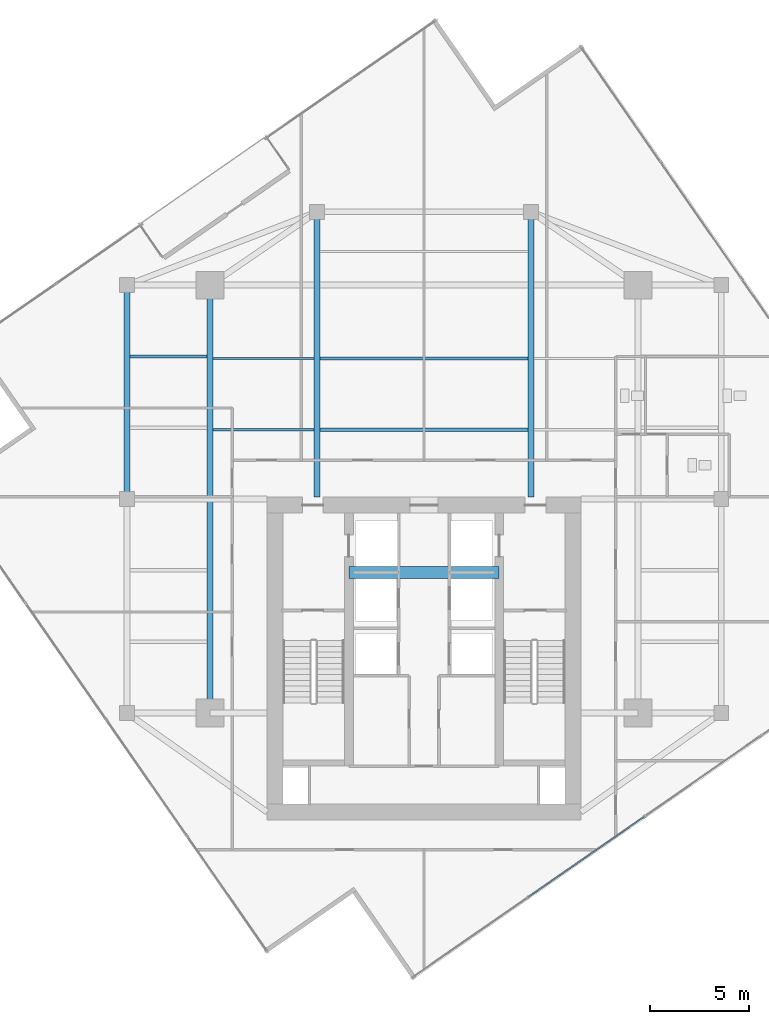
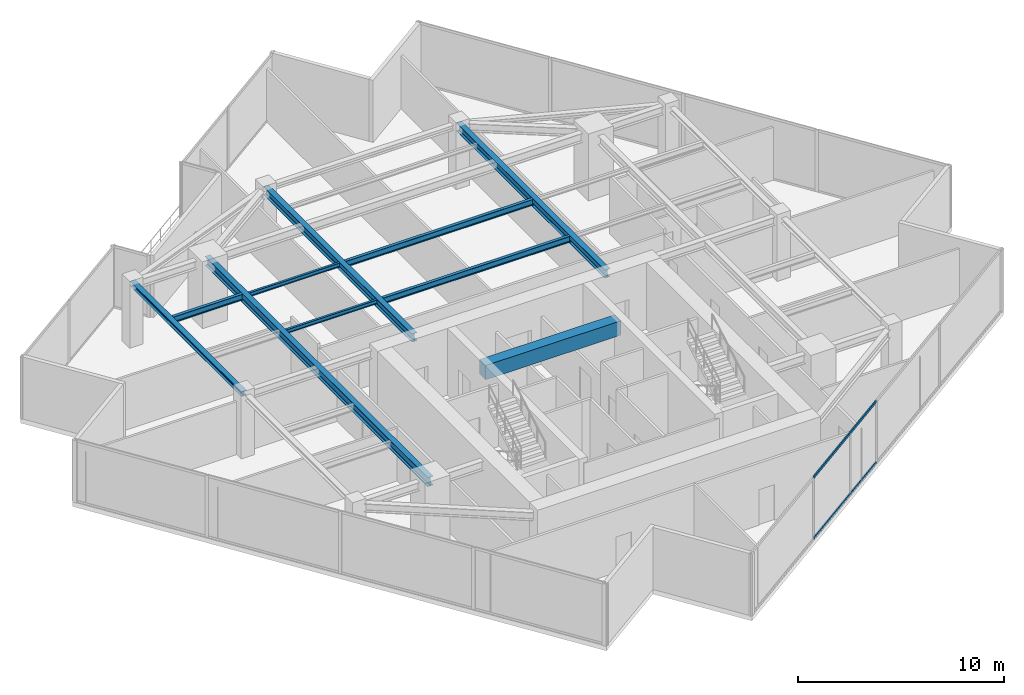
# One storey, part 7 of 21: 10 beams, 2 members, 1 element without a shape of its own.
"""IFC4 building model written with IfcOpenShell, lengths in metres."""

from ifc_helpers import new_model, si_unit, direction, frame, origin, origin_2d, place, context, subcontext, project, spatial, rectangle, hollow_rectangle, i_section, extrude, source, transform, mapped, material, material_profile, profile_set, type_object, type_shapes, element, aggregate, save


model = new_model("IFC4")

# Units and contexts
model_context = context("Model", 3, precision=1e-05, world=origin(), true_north=direction((0.0, 1.0)))
body_context = subcontext(model_context, "Body", "Model", "MODEL_VIEW")
ifc_project = project(units=[si_unit("LENGTHUNIT", "METRE"), si_unit("AREAUNIT", "SQUARE_METRE"), si_unit("VOLUMEUNIT", "CUBIC_METRE"), si_unit("PLANEANGLEUNIT", "RADIAN"), si_unit("MASSUNIT", "GRAM", prefix="KILO")], contexts=[model_context])

# Site, building, storey
site_placement = place(None, origin())
site = spatial("IfcSite", under=ifc_project, at=site_placement, CompositionType="ELEMENT")
building_placement = place(site_placement, origin())
building = spatial("IfcBuilding", under=site, at=building_placement, Name="Krantzveldt Concourse Tower", CompositionType="ELEMENT")
storey_placement = place(building_placement, frame((0.0, 0.0, 279.25)))
storey = spatial("IfcBuildingStorey", under=building, at=storey_placement, Name="L68", CompositionType="ELEMENT", Elevation=279.25)

# Beams
ifc_material_1 = material(Name="Steel S355JR", Category="steel")
ifc_material_profile_1 = material_profile(ifc_material_1, i_section(OverallWidth=0.169921875, OverallDepth=0.360107421875, WebThickness=0.008056640625, FlangeThickness=0.0126953125, FilletRadius=0.01806640625, at=origin_2d()), Name="Steel S355JR", Category="steel")
ifc_profile_set_1 = profile_set([ifc_material_profile_1], Name="Steel S355JR - IPE 360")
beam_type_1 = type_object("IfcBeamType", Name="BM-J-IPE360", PredefinedType="JOIST", material=ifc_profile_set_1)
shared_shape_1 = source(origin(), body_context, "Body", "SweptSolid", [
    extrude(i_section(OverallWidth=0.169921875, OverallDepth=0.360107421875, WebThickness=0.008056640625, FlangeThickness=0.0126953125, FilletRadius=0.01806640625, at=origin_2d()), origin(), (0.0, 0.0, 1.0), 10.5),
])
for number, where, z_axis, x_axis, name in (
    (1, (30.75, 30.199951171875, 3.489990234375), (1.0, 0.0, 0.0), (0.0, 1.0, 0.0), "L68 Secondary Floor Joist JN-C1"),
    (2, (30.75, 33.800048828125, 3.489990234375), (1.0, 0.0, 0.0), (0.0, 1.0, 0.0), "L68 Secondary Floor Joist JN-C2"),
):
    element("IfcBeam", number, at=place(storey_placement, frame(where, z_axis=z_axis, x_axis=x_axis)), inside=storey, type_object=beam_type_1, Name=name, PredefinedType="JOIST", context=body_context, shape_type="MappedRepresentation", body=[
        mapped(shared_shape_1, transform((0.0, 0.0, 0.0), x_axis=(1.0, 0.0, 0.0), y_axis=(0.0, 1.0, 0.0), z_axis=(0.0, 0.0, 1.0), scale=1.0)),
    ])
ifc_material_profile_2 = material_profile(ifc_material_1, i_section(OverallWidth=0.300048828125, OverallDepth=0.489990234375, WebThickness=0.011962890625, FlangeThickness=0.02294921875, FilletRadius=0.027099609375, at=origin_2d()), Name="Steel S355JR", Category="steel")
ifc_profile_set_2 = profile_set([ifc_material_profile_2], Name="Steel S355JR - HEA 500")
beam_type_2 = type_object("IfcBeamType", Name="BM-B-HEA500", PredefinedType="BEAM", material=ifc_profile_set_2)
shared_shape_2 = source(origin(), body_context, "Body", "SweptSolid", [
    extrude(i_section(OverallWidth=0.300048828125, OverallDepth=0.489990234375, WebThickness=0.011962890625, FlangeThickness=0.02294921875, FilletRadius=0.027099609375, at=origin_2d()), origin(), (0.0, 0.0, 1.0), 14.39990234375),
])
type_shapes(beam_type_2, [shared_shape_2])
for number, where, z_axis, x_axis, name in (
    (3, (30.60009765625, 26.800048828125, 3.425048828125), (0.0, 1.0, 0.0), (-1.0, 0.0, 0.0), "L68 Tower Girder BG-CNW"),
    (4, (41.39990234375, 26.800048828125, 3.425048828125), (0.0, 1.0, 0.0), (-1.0, 0.0, 0.0), "L68 Tower Girder BG-CNE"),
):
    element("IfcBeam", number, at=place(storey_placement, frame(where, z_axis=z_axis, x_axis=x_axis)), inside=storey, type_object=beam_type_2, Name=name, PredefinedType="BEAM", context=body_context, shape_type="MappedRepresentation", body=[
        mapped(shared_shape_2, transform((0.0, 0.0, 0.0), x_axis=(1.0, 0.0, 0.0), y_axis=(0.0, 1.0, 0.0), z_axis=(0.0, 0.0, 1.0), scale=1.0)),
    ])
ifc_material_2 = material(Name="Concrete C50/60", Category="concrete")
ifc_material_profile_3 = material_profile(ifc_material_2, rectangle(XDim=0.60009765625, YDim=0.85009765625, at=origin_2d()), Name="Concrete C50/60", Category="concrete")
ifc_profile_set_3 = profile_set([ifc_material_profile_3], Name="Concrete C50/60 - RC-CB 600x850")
beam_type_3 = type_object("IfcBeamType", Name="BM-CB-850", PredefinedType="LINTEL", material=ifc_profile_set_3)
shared_shape_3 = source(origin(), body_context, "Body", "SweptSolid", [
    extrude(rectangle(XDim=0.60009765625, YDim=0.85009765625, at=origin_2d()), origin(), (0.0, 0.0, 1.0), 7.580078125),
])
type_shapes(beam_type_3, [shared_shape_3])
beam_1_placement = place(storey_placement, frame((32.2099609375, 23.0, 3.2451171875), z_axis=(1.0, 0.0, 0.0), x_axis=(0.0, 1.0, 0.0)))
element("IfcBeam", 5, at=beam_1_placement, inside=storey, type_object=beam_type_3, Name="CB-L68-01", PredefinedType="LINTEL", context=body_context, shape_type="MappedRepresentation", body=[
    mapped(shared_shape_3, transform((0.0, 0.0, 0.0), x_axis=(1.0, 0.0, 0.0), y_axis=(0.0, 1.0, 0.0), z_axis=(0.0, 0.0, 1.0), scale=1.0)),
])
ifc_material_profile_4 = material_profile(ifc_material_1, i_section(OverallWidth=0.300048828125, OverallDepth=0.5400390625, WebThickness=0.012451171875, FlangeThickness=0.02392578125, FilletRadius=0.027099609375, at=origin_2d()), Name="Steel S355JR", Category="steel")
ifc_profile_set_4 = profile_set([ifc_material_profile_4], Name="Steel S355JR - HEA 550")
beam_type_4 = type_object("IfcBeamType", Name="BM-B-HEA550", PredefinedType="BEAM", material=ifc_profile_set_4)
shared_shape_4 = source(origin(), body_context, "Body", "SweptSolid", [
    extrude(i_section(OverallWidth=0.300048828125, OverallDepth=0.5400390625, WebThickness=0.012451171875, FlangeThickness=0.02392578125, FilletRadius=0.027099609375, at=origin_2d()), origin(), (0.0, 0.0, 1.0), 21.60009765625),
])
type_shapes(beam_type_4, [shared_shape_4])
beam_2_placement = place(storey_placement, frame((25.199951171875, 15.89990234375, 3.39990234375), z_axis=(0.0, 1.0, 0.0), x_axis=(-1.0, 0.0, 0.0)))
element("IfcBeam", 6, at=beam_2_placement, inside=storey, type_object=beam_type_4, Name="L68 Tower Girder BG-MW", PredefinedType="BEAM", context=body_context, shape_type="MappedRepresentation", body=[
    mapped(shared_shape_4, transform((0.0, 0.0, 0.0), x_axis=(1.0, 0.0, 0.0), y_axis=(0.0, 1.0, 0.0), z_axis=(0.0, 0.0, 1.0), scale=1.0)),
])
ifc_material_profile_5 = material_profile(ifc_material_1, i_section(OverallWidth=0.2900390625, OverallDepth=0.2900390625, WebThickness=0.008544921875, FlangeThickness=0.013916015625, FilletRadius=0.027099609375, at=origin_2d()), Name="Steel S355JR", Category="steel")
ifc_profile_set_5 = profile_set([ifc_material_profile_5], Name="Steel S355JR - HEA 300")
beam_type_5 = type_object("IfcBeamType", Name="BM-SP-HEA300", PredefinedType="SPANDREL", material=ifc_profile_set_5)
shared_shape_5 = source(origin(), body_context, "Body", "SweptSolid", [
    extrude(i_section(OverallWidth=0.2900390625, OverallDepth=0.2900390625, WebThickness=0.008544921875, FlangeThickness=0.013916015625, FilletRadius=0.027099609375, at=origin_2d()), origin(), (0.0, 0.0, 1.0), 10.800048828125),
])
type_shapes(beam_type_5, [shared_shape_5])
beam_3_placement = place(storey_placement, frame((21.0, 26.699951171875, 3.52490234375), z_axis=(0.0, 1.0, 0.0), x_axis=(-1.0, 0.0, 0.0)))
element("IfcBeam", 7, at=beam_3_placement, inside=storey, type_object=beam_type_5, Name="L68 Tower Girder SP-R02", PredefinedType="SPANDREL", context=body_context, shape_type="MappedRepresentation", body=[
    mapped(shared_shape_5, transform((0.0, 0.0, 0.0), x_axis=(1.0, 0.0, 0.0), y_axis=(0.0, 1.0, 0.0), z_axis=(0.0, 0.0, 1.0), scale=1.0)),
])
ifc_material_profile_6 = material_profile(ifc_material_1, i_section(OverallWidth=0.1201171875, OverallDepth=0.239990234375, WebThickness=0.006103515625, FlangeThickness=0.009765625, FilletRadius=0.014892578125, at=origin_2d()), Name="Steel S355JR", Category="steel")
ifc_profile_set_6 = profile_set([ifc_material_profile_6], Name="Steel S355JR - IPE 240")
beam_type_6 = type_object("IfcBeamType", Name="BM-LN-IPE240", PredefinedType="LINTEL", material=ifc_profile_set_6)
shared_shape_6 = source(origin(), body_context, "Body", "SweptSolid", [
    extrude(i_section(OverallWidth=0.1201171875, OverallDepth=0.239990234375, WebThickness=0.006103515625, FlangeThickness=0.009765625, FilletRadius=0.014892578125, at=origin_2d()), origin(), (0.0, 0.0, 1.0), 5.099853515625),
])
type_shapes(beam_type_6, [shared_shape_6])
for number, where, z_axis, x_axis, name in (
    (8, (25.35009765625, 30.199951171875, 3.550048828125), (1.0, 0.0, 0.0), (0.0, 1.0, 0.0), "L68 Secondary Floor Joist JN-W1"),
    (9, (25.35009765625, 33.800048828125, 3.550048828125), (1.0, 0.0, 0.0), (0.0, 1.0, 0.0), "L68 Secondary Floor Joist JN-W2"),
):
    element("IfcBeam", number, at=place(storey_placement, frame(where, z_axis=z_axis, x_axis=x_axis)), inside=storey, type_object=beam_type_6, Name=name, PredefinedType="LINTEL", context=body_context, shape_type="MappedRepresentation", body=[
        mapped(shared_shape_6, transform((0.0, 0.0, 0.0), x_axis=(1.0, 0.0, 0.0), y_axis=(0.0, 1.0, 0.0), z_axis=(0.0, 0.0, 1.0), scale=1.0)),
    ])
shared_shape_7 = source(origin(), body_context, "Body", "SweptSolid", [
    extrude(i_section(OverallWidth=0.169921875, OverallDepth=0.360107421875, WebThickness=0.008056640625, FlangeThickness=0.0126953125, FilletRadius=0.01806640625, at=origin_2d()), origin(), (0.0, 0.0, 1.0), 3.900146484375),
])
type_shapes(beam_type_1, [shared_shape_1, shared_shape_7])
beam_4_placement = place(storey_placement, frame((21.14990234375, 33.89990234375, 3.489990234375), z_axis=(1.0, 0.0, 0.0), x_axis=(0.0, 1.0, 0.0)))
element("IfcBeam", 10, at=beam_4_placement, inside=storey, type_object=beam_type_1, Name="L68 Secondary Floor Joist JW-4", PredefinedType="JOIST", context=body_context, shape_type="MappedRepresentation", body=[
    mapped(shared_shape_7, transform((0.0, 0.0, 0.0), x_axis=(1.0, 0.0, 0.0), y_axis=(0.0, 1.0, 0.0), z_axis=(0.0, 0.0, 1.0), scale=1.0)),
])

# Curtain wall, members
ifc_material_3 = material(Name="Anodised aluminium 6063-T6", Category="aluminium")
curtain_wall_type = type_object("IfcCurtainWallType", Name="CW4", PredefinedType="USERDEFINED", material=ifc_material_3)
curtain_wall_placement = place(storey_placement, origin())
curtain_wall = element("IfcCurtainWall", 11, at=curtain_wall_placement, inside=storey, type_object=curtain_wall_type, Name="CW-L68-F11", ObjectType="UNITISED CURTAIN WALL", PredefinedType="USERDEFINED")
ifc_material_profile_7 = material_profile(ifc_material_3, hollow_rectangle(XDim=0.070068359375, YDim=0.139892578125, WallThickness=0.0048828125, at=origin_2d()), Name="Anodised aluminium 6063-T6", Category="aluminium")
ifc_profile_set_7 = profile_set([ifc_material_profile_7], Name="Anodised aluminium 6063-T6 - ALU-TRAN 140x70x5")
member_type = type_object("IfcMemberType", Name="CW-TRN-150", PredefinedType="USERDEFINED", material=ifc_profile_set_7)
shared_shape_8 = source(origin(), body_context, "Body", "SweptSolid", [
    extrude(hollow_rectangle(XDim=0.070068359375, YDim=0.139892578125, WallThickness=0.0048828125, at=origin_2d()), origin(), (0.0, 0.0, 1.0), 7.079833984375),
])
type_shapes(member_type, [shared_shape_8])
member_1_placement = place(storey_placement, frame((41.274658203125, 6.6142578125, 0.034912109375), z_axis=(0.821653043491, 0.569987961383, 0.0), x_axis=(-0.569987961383, 0.821653043491, 0.0)))
member_1 = element("IfcMember", 12, at=member_1_placement, type_object=member_type, Name="CW-Z56 transom 2.1", ObjectType="TRANSOM", PredefinedType="USERDEFINED", context=body_context, shape_type="MappedRepresentation", body=[
    mapped(shared_shape_8, transform((0.0, 0.0, 0.0), x_axis=(1.0, 0.0, 0.0), y_axis=(0.0, 1.0, 0.0), z_axis=(0.0, 0.0, 1.0), scale=1.0)),
])
member_2_placement = place(storey_placement, frame((41.274658203125, 6.6142578125, 3.635009765625), z_axis=(0.821653043491, 0.569987961383, 0.0), x_axis=(-0.569987961383, 0.821653043491, 0.0)))
member_2 = element("IfcMember", 13, at=member_2_placement, type_object=member_type, Name="CW-Z56 transom 2.2", ObjectType="TRANSOM", PredefinedType="USERDEFINED", context=body_context, shape_type="MappedRepresentation", body=[
    mapped(shared_shape_8, transform((0.0, 0.0, 0.0), x_axis=(1.0, 0.0, 0.0), y_axis=(0.0, 1.0, 0.0), z_axis=(0.0, 0.0, 1.0), scale=1.0)),
])
aggregate(curtain_wall, [member_1, member_2])

save(model, "model.ifc")
